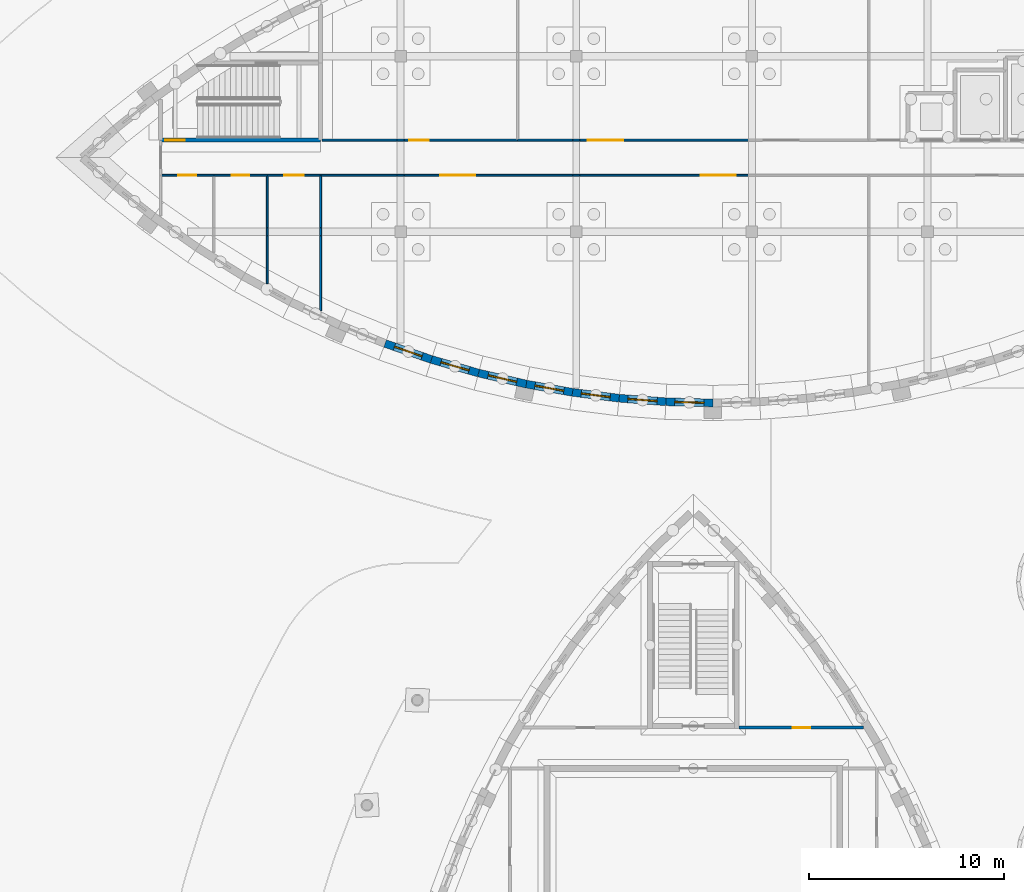
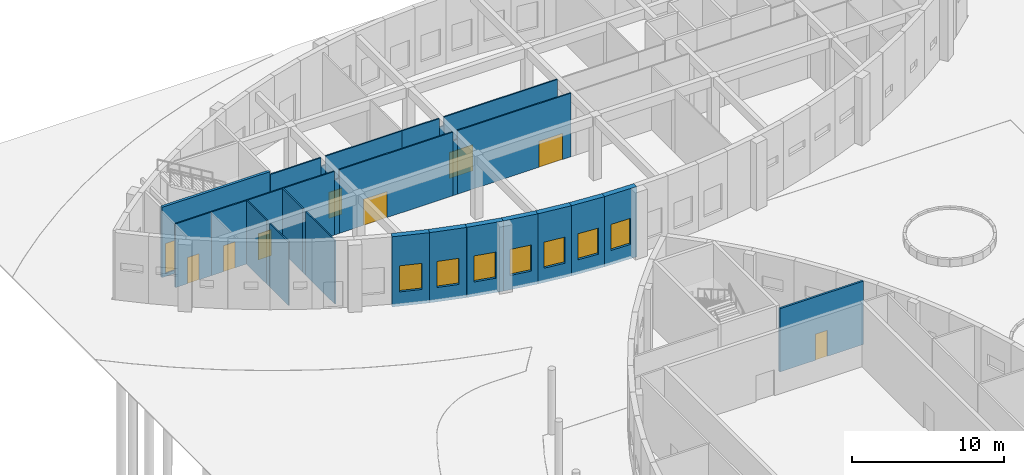
# One storey, part 56 of 82: 29 walls, 9 doors, 7 windows, 16 openings.
"""IFC4 building model written with IfcOpenShell, lengths in metres."""

from ifc_helpers import new_model, si_unit, direction, frame, frame_2d, origin, place, context, subcontext, project, spatial, rectangle, extrude, material, layer, layer_set, type_object, element, fill, save


model = new_model("IFC4")

# Units and contexts
model_context = context("Model", 3, precision=1e-05, world=origin(), true_north=direction((0.0, 1.0)))
body_context = subcontext(model_context, "Body", "Model", "MODEL_VIEW")
ifc_project = project(units=[si_unit("LENGTHUNIT", "METRE"), si_unit("AREAUNIT", "SQUARE_METRE"), si_unit("VOLUMEUNIT", "CUBIC_METRE"), si_unit("PLANEANGLEUNIT", "RADIAN"), si_unit("MASSUNIT", "GRAM", prefix="KILO")], contexts=[model_context])

# Site, building, storey
site_placement = place(None, origin())
site = spatial("IfcSite", under=ifc_project, at=site_placement, CompositionType="ELEMENT")
building_placement = place(site_placement, origin())
building = spatial("IfcBuilding", under=site, at=building_placement, Name="Tide Square Theatres", CompositionType="ELEMENT")
storey_placement = place(building_placement, origin())
storey = spatial("IfcBuildingStorey", under=building, at=storey_placement, Name="L00", CompositionType="ELEMENT", Elevation=0.0)

# Wall, opening, door
ifc_material_1 = material(Name="Gypsum board on steel studs", Category="steel")
ifc_layer_1 = layer(ifc_material_1, 0.10009765625)
ifc_layer_set_1 = layer_set([ifc_layer_1], Name="Gypsum board on steel studs")
wall_type_1 = type_object("IfcWallType", Name="Partition 100 thick", PredefinedType="PARTITIONING", material=ifc_layer_set_1)
wall_1_placement = place(storey_placement, frame((11.433349609375, 96.89990234375, 0.0), z_axis=(0.0, 0.0, 1.0), x_axis=(-1.0, 0.0, 0.0)))
wall_1 = element("IfcWall", 1, at=wall_1_placement, inside=storey, type_object=wall_type_1, Name="Scenery Workshops partition", PredefinedType="PARTITIONING", context=body_context, shape_type="SweptSolid", body=[
    extrude(rectangle(XDim=2.7333984375, YDim=0.10009765625, at=frame_2d((1.36669921875, 0.0))), origin(), (0.0, 0.0, 1.0), 5.1201171875),
])
opening_1_placement = place(wall_1_placement, frame((0.916748046875, 0.0, 0.0)))
opening_1 = element("IfcOpeningElement", 2, at=opening_1_placement, cuts=wall_1, Name="Opening W0-05", PredefinedType="OPENING", context=body_context, shape_type="SweptSolid", body=[
    extrude(rectangle(XDim=0.89990234375, YDim=2.10009765625, at=frame_2d((0.449951171875, 1.050048828125))), frame((0.0, 0.06005859375, 0.0), z_axis=(0.0, -1.0, 0.0), x_axis=(1.0, 0.0, 0.0)), (0.0, 0.0, 1.0), 0.1201171875),
])
ifc_material_2 = material(Name="Hardwood timber", Category="wood")
door_type_1 = type_object("IfcDoorType", Name="Door 900 x 2100 single leaf", OperationType="NOTDEFINED", PredefinedType="DOOR", material=ifc_material_2)
door_1_placement = place(opening_1_placement, origin())
door_1 = element("IfcDoor", 3, at=door_1_placement, inside=storey, type_object=door_type_1, Name="Scenery Workshops door W0-05 to Gents WC W", OperationType="SINGLE_SWING_RIGHT", OverallHeight=2.10009765625, OverallWidth=0.89990234375, PredefinedType="DOOR", context=body_context, shape_type="SweptSolid", body=[
    extrude(rectangle(XDim=0.89990234375, YDim=2.10009765625, at=frame_2d((0.449951171875, 1.050048828125))), frame((0.0, 0.02490234375, 0.0), z_axis=(0.0, -1.0, 0.0), x_axis=(1.0, 0.0, 0.0)), (0.0, 0.0, 1.0), 0.050048828125),
])
fill(opening_1, door_1)

wall_2_placement = place(storey_placement, frame((14.166748046875, 96.89990234375, 0.0), z_axis=(0.0, 0.0, 1.0), x_axis=(-1.0, 0.0, 0.0)))
wall_2 = element("IfcWall", 4, at=wall_2_placement, inside=storey, type_object=wall_type_1, Name="Scenery Workshops partition", PredefinedType="PARTITIONING", context=body_context, shape_type="SweptSolid", body=[
    extrude(rectangle(XDim=2.7333984375, YDim=0.10009765625, at=frame_2d((1.36669921875, 0.0))), origin(), (0.0, 0.0, 1.0), 5.1201171875),
])
opening_2_placement = place(wall_2_placement, frame((0.916748046875, 0.0, 0.0)))
opening_2 = element("IfcOpeningElement", 5, at=opening_2_placement, cuts=wall_2, Name="Opening W0-06", PredefinedType="OPENING", context=body_context, shape_type="SweptSolid", body=[
    extrude(rectangle(XDim=0.89990234375, YDim=2.10009765625, at=frame_2d((0.449951171875, 1.050048828125))), frame((0.0, 0.06005859375, 0.0), z_axis=(0.0, -1.0, 0.0), x_axis=(1.0, 0.0, 0.0)), (0.0, 0.0, 1.0), 0.1201171875),
])
door_2_placement = place(opening_2_placement, origin())
door_2 = element("IfcDoor", 6, at=door_2_placement, inside=storey, type_object=door_type_1, Name="Scenery Workshops door W0-06 to Ladies WC W", OperationType="SINGLE_SWING_RIGHT", OverallHeight=2.10009765625, OverallWidth=0.89990234375, PredefinedType="DOOR", context=body_context, shape_type="SweptSolid", body=[
    extrude(rectangle(XDim=0.89990234375, YDim=2.10009765625, at=frame_2d((0.449951171875, 1.050048828125))), frame((0.0, 0.02490234375, 0.0), z_axis=(0.0, -1.0, 0.0), x_axis=(1.0, 0.0, 0.0)), (0.0, 0.0, 1.0), 0.050048828125),
])
fill(opening_2, door_2)

# Walls
wall_3_placement = place(storey_placement, frame((14.166748046875, 96.860107421875, 0.0), z_axis=(0.0, 0.0, 1.0), x_axis=(0.0, -1.0, 0.0)))
element("IfcWall", 7, at=wall_3_placement, inside=storey, type_object=wall_type_1, Name="Scenery Workshops partition", PredefinedType="PARTITIONING", context=body_context, shape_type="SweptSolid", body=[
    extrude(rectangle(XDim=2.66015625, YDim=0.10009765625, at=frame_2d((1.330078125, 0.0))), origin(), (0.0, 0.0, 1.0), 5.1201171875),
])
wall_4_placement = place(storey_placement, frame((14.166748046875, 94.199951171875, 0.0), z_axis=(0.0, 0.0, 1.0), x_axis=(0.0, -1.0, 0.0)))
element("IfcWall", 8, at=wall_4_placement, inside=storey, type_object=wall_type_1, Name="Scenery Workshops partition", PredefinedType="PARTITIONING", context=body_context, shape_type="SweptSolid", body=[
    extrude(rectangle(XDim=0.39990234375, YDim=0.10009765625, at=frame_2d((0.199951171875, 0.0))), origin(), (0.0, 0.0, 1.0), 4.320068359375),
])
wall_5_placement = place(storey_placement, frame((14.166748046875, 93.800048828125, 0.0), z_axis=(0.0, 0.0, 1.0), x_axis=(0.0, -1.0, 0.0)))
element("IfcWall", 9, at=wall_5_placement, inside=storey, type_object=wall_type_1, Name="Scenery Workshops partition", PredefinedType="PARTITIONING", context=body_context, shape_type="SweptSolid", body=[
    extrude(rectangle(XDim=2.455078125, YDim=0.10009765625, at=frame_2d((1.2275390625, 0.0))), origin(), (0.0, 0.0, 1.0), 5.1201171875),
])

# Wall, opening, door
wall_6_placement = place(storey_placement, frame((16.89990234375, 96.89990234375, 0.0), z_axis=(0.0, 0.0, 1.0), x_axis=(-1.0, 0.0, 0.0)))
wall_6 = element("IfcWall", 10, at=wall_6_placement, inside=storey, type_object=wall_type_1, Name="Scenery Workshops partition", PredefinedType="PARTITIONING", context=body_context, shape_type="SweptSolid", body=[
    extrude(rectangle(XDim=2.733154296875, YDim=0.10009765625, at=frame_2d((1.36669921875, 0.0))), origin(), (0.0, 0.0, 1.0), 5.1201171875),
])
opening_3_placement = place(wall_6_placement, frame((0.86669921875, 0.0, 0.0)))
opening_3 = element("IfcOpeningElement", 11, at=opening_3_placement, cuts=wall_6, Name="Opening W0-07", PredefinedType="OPENING", context=body_context, shape_type="SweptSolid", body=[
    extrude(rectangle(XDim=1.0, YDim=2.10009765625, at=frame_2d((0.5, 1.050048828125))), frame((0.0, 0.06005859375, 0.0), z_axis=(0.0, -1.0, 0.0), x_axis=(1.0, 0.0, 0.0)), (0.0, 0.0, 1.0), 0.1201171875),
])
ifc_material_3 = material(Name="Hardwood timber", Category="wood")
door_type_2 = type_object("IfcDoorType", Name="Door 1000 x 2100 single leaf", OperationType="NOTDEFINED", PredefinedType="DOOR", material=ifc_material_3)
door_3_placement = place(opening_3_placement, origin())
door_3 = element("IfcDoor", 12, at=door_3_placement, inside=storey, type_object=door_type_2, Name="Scenery Workshops door W0-07 to Accessible WC W", OperationType="SINGLE_SWING_RIGHT", OverallHeight=2.10009765625, OverallWidth=1.0, PredefinedType="DOOR", context=body_context, shape_type="SweptSolid", body=[
    extrude(rectangle(XDim=1.0, YDim=2.10009765625, at=frame_2d((0.5, 1.050048828125))), frame((0.0, 0.02490234375, 0.0), z_axis=(0.0, -1.0, 0.0), x_axis=(1.0, 0.0, 0.0)), (0.0, 0.0, 1.0), 0.050048828125),
])
fill(opening_3, door_3)

# Walls
wall_7_placement = place(storey_placement, frame((16.89990234375, 96.8701171875, 0.0), z_axis=(0.0, 0.0, 1.0), x_axis=(0.0, -1.0, 0.0)))
element("IfcWall", 13, at=wall_7_placement, inside=storey, type_object=wall_type_1, Name="Scenery Workshops partition", PredefinedType="PARTITIONING", context=body_context, shape_type="SweptSolid", body=[
    extrude(rectangle(XDim=2.670166015625, YDim=0.10009765625, at=frame_2d((1.3349609375, 0.0))), origin(), (0.0, 0.0, 1.0), 5.1201171875),
])
wall_8_placement = place(storey_placement, frame((16.89990234375, 94.199951171875, 0.0), z_axis=(0.0, 0.0, 1.0), x_axis=(0.0, -1.0, 0.0)))
element("IfcWall", 14, at=wall_8_placement, inside=storey, type_object=wall_type_1, Name="Scenery Workshops partition", PredefinedType="PARTITIONING", context=body_context, shape_type="SweptSolid", body=[
    extrude(rectangle(XDim=0.39990234375, YDim=0.10009765625, at=frame_2d((0.199951171875, 0.0))), origin(), (0.0, 0.0, 1.0), 4.320068359375),
])
wall_9_placement = place(storey_placement, frame((16.89990234375, 93.800048828125, 0.0), z_axis=(0.0, 0.0, 1.0), x_axis=(0.0, -1.0, 0.0)))
element("IfcWall", 15, at=wall_9_placement, inside=storey, type_object=wall_type_1, Name="Scenery Workshops partition", PredefinedType="PARTITIONING", context=body_context, shape_type="SweptSolid", body=[
    extrude(rectangle(XDim=3.83984375, YDim=0.10009765625, at=frame_2d((1.919921875, 0.0))), origin(), (0.0, 0.0, 1.0), 5.1201171875),
])

# Wall, opening, door
wall_10_placement = place(storey_placement, frame((38.824951171875, 96.89990234375, 0.0), z_axis=(0.0, 0.0, 1.0), x_axis=(-1.0, 0.0, 0.0)))
wall_10 = element("IfcWall", 16, at=wall_10_placement, inside=storey, type_object=wall_type_1, Name="Scenery Workshops partition", PredefinedType="PARTITIONING", context=body_context, shape_type="SweptSolid", body=[
    extrude(rectangle(XDim=8.64990234375, YDim=0.10009765625, at=frame_2d((4.324951171875, 0.0))), origin(), (0.0, 0.0, 1.0), 5.1201171875),
])
opening_4_placement = place(wall_10_placement, frame((0.64990234375, 0.0, 0.0)))
opening_4 = element("IfcOpeningElement", 17, at=opening_4_placement, cuts=wall_10, Name="Opening W0-14", PredefinedType="OPENING", context=body_context, shape_type="SweptSolid", body=[
    extrude(rectangle(XDim=1.800048828125, YDim=2.10009765625, at=frame_2d((0.89990234375, 1.050048828125))), frame((0.0, 0.06005859375, 0.0), z_axis=(0.0, -1.0, 0.0), x_axis=(1.0, 0.0, 0.0)), (0.0, 0.0, 1.0), 0.1201171875),
])
ifc_material_4 = material(Name="Hardwood timber", Category="wood")
door_type_3 = type_object("IfcDoorType", Name="Door 1800 x 2100 double leaf", OperationType="DOUBLE_DOOR_SINGLE_SWING", PredefinedType="DOOR", material=ifc_material_4)
door_4_placement = place(opening_4_placement, origin())
door_4 = element("IfcDoor", 18, at=door_4_placement, inside=storey, type_object=door_type_3, Name="Scenery Workshops door W0-14 to Carpentry Workshop", OperationType="DOUBLE_DOOR_SINGLE_SWING", OverallHeight=2.10009765625, OverallWidth=1.800048828125, PredefinedType="DOOR", context=body_context, shape_type="SweptSolid", body=[
    extrude(rectangle(XDim=1.800048828125, YDim=2.10009765625, at=frame_2d((0.89990234375, 1.050048828125))), frame((0.0, 0.02490234375, 0.0), z_axis=(0.0, -1.0, 0.0), x_axis=(1.0, 0.0, 0.0)), (0.0, 0.0, 1.0), 0.050048828125),
])
fill(opening_4, door_4)

# Wall
wall_11_placement = place(storey_placement, frame((30.175048828125, 96.89990234375, 0.0), z_axis=(0.0, 0.0, 1.0), x_axis=(-1.0, 0.0, 0.0)))
element("IfcWall", 19, at=wall_11_placement, inside=storey, type_object=wall_type_1, Name="Scenery Workshops partition", PredefinedType="PARTITIONING", context=body_context, shape_type="SweptSolid", body=[
    extrude(rectangle(XDim=0.35009765625, YDim=0.10009765625, at=frame_2d((0.175048828125, 0.0))), origin(), (0.0, 0.0, 1.0), 4.419921875),
])

# Wall, opening, door
wall_12_placement = place(storey_placement, frame((29.824951171875, 96.89990234375, 0.0), z_axis=(0.0, 0.0, 1.0), x_axis=(-1.0, 0.0, 0.0)))
wall_12 = element("IfcWall", 20, at=wall_12_placement, inside=storey, type_object=wall_type_1, Name="Scenery Workshops partition", PredefinedType="PARTITIONING", context=body_context, shape_type="SweptSolid", body=[
    extrude(rectangle(XDim=8.64990234375, YDim=0.10009765625, at=frame_2d((4.324951171875, 0.0))), origin(), (0.0, 0.0, 1.0), 5.1201171875),
])
opening_5_placement = place(wall_12_placement, frame((5.0, 0.0, 0.0)))
opening_5 = element("IfcOpeningElement", 21, at=opening_5_placement, cuts=wall_12, Name="Opening W0-13", PredefinedType="OPENING", context=body_context, shape_type="SweptSolid", body=[
    extrude(rectangle(XDim=1.800048828125, YDim=2.10009765625, at=frame_2d((0.89990234375, 1.050048828125))), frame((0.0, 0.06005859375, 0.0), z_axis=(0.0, -1.0, 0.0), x_axis=(1.0, 0.0, 0.0)), (0.0, 0.0, 1.0), 0.1201171875),
])
door_5_placement = place(opening_5_placement, origin())
door_5 = element("IfcDoor", 22, at=door_5_placement, inside=storey, type_object=door_type_3, Name="Scenery Workshops door W0-13 to Carpentry Workshop", OperationType="DOUBLE_DOOR_SINGLE_SWING", OverallHeight=2.10009765625, OverallWidth=1.800048828125, PredefinedType="DOOR", context=body_context, shape_type="SweptSolid", body=[
    extrude(rectangle(XDim=1.800048828125, YDim=2.10009765625, at=frame_2d((0.89990234375, 1.050048828125))), frame((0.0, 0.02490234375, 0.0), z_axis=(0.0, -1.0, 0.0), x_axis=(1.0, 0.0, 0.0)), (0.0, 0.0, 1.0), 0.050048828125),
])
fill(opening_5, door_5)

# Walls
wall_13_placement = place(storey_placement, frame((21.175048828125, 96.89990234375, 0.0), z_axis=(0.0, 0.0, 1.0), x_axis=(-1.0, 0.0, 0.0)))
element("IfcWall", 23, at=wall_13_placement, inside=storey, type_object=wall_type_1, Name="Scenery Workshops partition", PredefinedType="PARTITIONING", context=body_context, shape_type="SweptSolid", body=[
    extrude(rectangle(XDim=0.35009765625, YDim=0.10009765625, at=frame_2d((0.175048828125, 0.0))), origin(), (0.0, 0.0, 1.0), 4.419921875),
])
wall_14_placement = place(storey_placement, frame((20.824951171875, 96.89990234375, 0.0), z_axis=(0.0, 0.0, 1.0), x_axis=(-1.0, 0.0, 0.0)))
element("IfcWall", 24, at=wall_14_placement, inside=storey, type_object=wall_type_1, Name="Scenery Workshops partition", PredefinedType="PARTITIONING", context=body_context, shape_type="SweptSolid", body=[
    extrude(rectangle(XDim=3.925048828125, YDim=0.10009765625, at=frame_2d((1.96240234375, 0.0))), origin(), (0.0, 0.0, 1.0), 5.1201171875),
])
wall_15_placement = place(storey_placement, frame((16.97998046875, 98.699951171875, 0.0), z_axis=(0.0, 0.0, 1.0), x_axis=(1.0, 0.0, 0.0)))
element("IfcWall", 25, at=wall_15_placement, inside=storey, type_object=wall_type_1, Name="Scenery Workshops partition", PredefinedType="PARTITIONING", context=body_context, shape_type="SweptSolid", body=[
    extrude(rectangle(XDim=3.844970703125, YDim=0.10009765625, at=frame_2d((1.92236328125, 0.0))), origin(), (0.0, 0.0, 1.0), 5.1201171875),
])
wall_16_placement = place(storey_placement, frame((20.824951171875, 98.699951171875, 0.0), z_axis=(0.0, 0.0, 1.0), x_axis=(1.0, 0.0, 0.0)))
element("IfcWall", 26, at=wall_16_placement, inside=storey, type_object=wall_type_1, Name="Scenery Workshops partition", PredefinedType="PARTITIONING", context=body_context, shape_type="SweptSolid", body=[
    extrude(rectangle(XDim=0.35009765625, YDim=0.10009765625, at=frame_2d((0.175048828125, 0.0))), origin(), (0.0, 0.0, 1.0), 4.419921875),
])

# Wall, opening, door
wall_17_placement = place(storey_placement, frame((21.175048828125, 98.699951171875, 0.0), z_axis=(0.0, 0.0, 1.0), x_axis=(1.0, 0.0, 0.0)))
wall_17 = element("IfcWall", 27, at=wall_17_placement, inside=storey, type_object=wall_type_1, Name="Scenery Workshops partition", PredefinedType="PARTITIONING", context=body_context, shape_type="SweptSolid", body=[
    extrude(rectangle(XDim=5.824951171875, YDim=0.10009765625, at=frame_2d((2.91259765625, 0.0))), origin(), (0.0, 0.0, 1.0), 5.1201171875),
])
opening_6_placement = place(wall_17_placement, frame((0.27490234375, 0.0, 0.0)))
opening_6 = element("IfcOpeningElement", 28, at=opening_6_placement, cuts=wall_17, Name="Opening W0-16", PredefinedType="OPENING", context=body_context, shape_type="SweptSolid", body=[
    extrude(rectangle(XDim=1.0, YDim=2.10009765625, at=frame_2d((0.5, 1.050048828125))), frame((0.0, 0.06005859375, 0.0), z_axis=(0.0, -1.0, 0.0), x_axis=(1.0, 0.0, 0.0)), (0.0, 0.0, 1.0), 0.1201171875),
])
door_6_placement = place(opening_6_placement, origin())
door_6 = element("IfcDoor", 29, at=door_6_placement, inside=storey, type_object=door_type_2, Name="Scenery Workshops door W0-16 to Metal Workshop", OperationType="SINGLE_SWING_RIGHT", OverallHeight=2.10009765625, OverallWidth=1.0, PredefinedType="DOOR", context=body_context, shape_type="SweptSolid", body=[
    extrude(rectangle(XDim=1.0, YDim=2.10009765625, at=frame_2d((0.5, 1.050048828125))), frame((0.0, 0.02490234375, 0.0), z_axis=(0.0, -1.0, 0.0), x_axis=(1.0, 0.0, 0.0)), (0.0, 0.0, 1.0), 0.050048828125),
])
fill(opening_6, door_6)

# Walls
wall_18_placement = place(storey_placement, frame((27.0, 98.699951171875, 0.0), z_axis=(0.0, 0.0, 1.0), x_axis=(1.0, 0.0, 0.0)))
element("IfcWall", 30, at=wall_18_placement, inside=storey, type_object=wall_type_1, Name="Scenery Workshops partition", PredefinedType="PARTITIONING", context=body_context, shape_type="SweptSolid", body=[
    extrude(rectangle(XDim=2.824951171875, YDim=0.10009765625, at=frame_2d((1.41259765625, 0.0))), origin(), (0.0, 0.0, 1.0), 5.1201171875),
])
wall_19_placement = place(storey_placement, frame((29.824951171875, 98.699951171875, 0.0), z_axis=(0.0, 0.0, 1.0), x_axis=(1.0, 0.0, 0.0)))
element("IfcWall", 31, at=wall_19_placement, inside=storey, type_object=wall_type_1, Name="Scenery Workshops partition", PredefinedType="PARTITIONING", context=body_context, shape_type="SweptSolid", body=[
    extrude(rectangle(XDim=0.35009765625, YDim=0.10009765625, at=frame_2d((0.175048828125, 0.0))), origin(), (0.0, 0.0, 1.0), 4.419921875),
])

# Wall, opening, door
wall_20_placement = place(storey_placement, frame((30.175048828125, 98.699951171875, 0.0), z_axis=(0.0, 0.0, 1.0), x_axis=(1.0, 0.0, 0.0)))
wall_20 = element("IfcWall", 32, at=wall_20_placement, inside=storey, type_object=wall_type_1, Name="Scenery Workshops partition", PredefinedType="PARTITIONING", context=body_context, shape_type="SweptSolid", body=[
    extrude(rectangle(XDim=8.64990234375, YDim=0.10009765625, at=frame_2d((4.324951171875, 0.0))), origin(), (0.0, 0.0, 1.0), 5.1201171875),
])
opening_7_placement = place(wall_20_placement, frame((0.425048828125, 0.0, 0.0)))
opening_7 = element("IfcOpeningElement", 33, at=opening_7_placement, cuts=wall_20, Name="Opening W0-18", PredefinedType="OPENING", context=body_context, shape_type="SweptSolid", body=[
    extrude(rectangle(XDim=1.800048828125, YDim=2.10009765625, at=frame_2d((0.89990234375, 1.050048828125))), frame((0.0, 0.06005859375, 0.0), z_axis=(0.0, -1.0, 0.0), x_axis=(1.0, 0.0, 0.0)), (0.0, 0.0, 1.0), 0.1201171875),
])
door_7_placement = place(opening_7_placement, origin())
door_7 = element("IfcDoor", 34, at=door_7_placement, inside=storey, type_object=door_type_3, Name="Scenery Workshops door W0-18 to Scenery Loading Dock", OperationType="DOUBLE_DOOR_SINGLE_SWING", OverallHeight=2.10009765625, OverallWidth=1.800048828125, PredefinedType="DOOR", context=body_context, shape_type="SweptSolid", body=[
    extrude(rectangle(XDim=1.800048828125, YDim=2.10009765625, at=frame_2d((0.89990234375, 1.050048828125))), frame((0.0, 0.02490234375, 0.0), z_axis=(0.0, -1.0, 0.0), x_axis=(1.0, 0.0, 0.0)), (0.0, 0.0, 1.0), 0.050048828125),
])
fill(opening_7, door_7)

ifc_material_5 = material(Name="Gypsum board on steel studs", Category="steel")
ifc_layer_2 = layer(ifc_material_5, 0.14990234375)
ifc_layer_set_2 = layer_set([ifc_layer_2], Name="Gypsum board on steel studs")
wall_type_2 = type_object("IfcWallType", Name="Partition 150 thick", PredefinedType="PARTITIONING", material=ifc_layer_set_2)
wall_21_placement = place(storey_placement, frame((38.349609375, 68.60009765625, 0.0), z_axis=(0.0, 0.0, 1.0), x_axis=(1.0, 0.0, 0.0)))
wall_21 = element("IfcWall", 35, at=wall_21_placement, inside=storey, type_object=wall_type_2, Name="Studio Theatre partition", PredefinedType="PARTITIONING", context=body_context, shape_type="SweptSolid", body=[
    extrude(rectangle(XDim=6.3662109375, YDim=0.14990234375, at=frame_2d((3.18310546875, 0.0))), origin(), (0.0, 0.0, 1.0), 5.10009765625),
])
opening_8_placement = place(wall_21_placement, frame((2.733154296875, 0.0, 0.0)))
opening_8 = element("IfcOpeningElement", 36, at=opening_8_placement, cuts=wall_21, Name="Opening S00-12", PredefinedType="OPENING", context=body_context, shape_type="SweptSolid", body=[
    extrude(rectangle(XDim=0.89990234375, YDim=2.10009765625, at=frame_2d((0.449951171875, 1.050048828125))), frame((0.0, 0.0849609375, 0.0), z_axis=(0.0, -1.0, 0.0), x_axis=(1.0, 0.0, 0.0)), (0.0, 0.0, 1.0), 0.169921875),
])
door_8_placement = place(opening_8_placement, origin())
door_8 = element("IfcDoor", 37, at=door_8_placement, inside=storey, type_object=door_type_1, Name="Scenery Store door", OperationType="SINGLE_SWING_RIGHT", OverallHeight=2.10009765625, OverallWidth=0.89990234375, PredefinedType="DOOR", context=body_context, shape_type="SweptSolid", body=[
    extrude(rectangle(XDim=0.89990234375, YDim=2.10009765625, at=frame_2d((0.449951171875, 1.050048828125))), frame((0.0, 0.02490234375, 0.0), z_axis=(0.0, -1.0, 0.0), x_axis=(1.0, 0.0, 0.0)), (0.0, 0.0, 1.0), 0.050048828125),
])
fill(opening_8, door_8)

# Wall, opening, window
ifc_material_6 = material(Name="Concrete C40", Category="concrete")
ifc_layer_3 = layer(ifc_material_6, 0.39990234375)
ifc_layer_set_3 = layer_set([ifc_layer_3], Name="Concrete C40")
wall_type_3 = type_object("IfcWallType", Name="RC curved wall 400 thick", PredefinedType="SOLIDWALL", material=ifc_layer_set_3)
wall_22_placement = place(storey_placement, frame((20.20703125, 88.2783203125, -0.25), z_axis=(0.0, 0.0, 1.0), x_axis=(0.94514546406, -0.326649738659, 0.0)))
wall_22 = element("IfcWall", 38, at=wall_22_placement, inside=storey, type_object=wall_type_3, Name="Scenery Workshops perimeter wall 007", PredefinedType="SOLIDWALL", context=body_context, shape_type="SweptSolid", body=[
    extrude(rectangle(XDim=2.51123046875, YDim=0.39990234375, at=frame_2d((1.255615234375, 0.0))), origin(), (0.0, 0.0, 1.0), 5.64990234375),
])
opening_9_placement = place(wall_22_placement, frame((0.505615234375, 0.0, 1.14990234375)))
opening_9 = element("IfcOpeningElement", 39, at=opening_9_placement, cuts=wall_22, Name="Opening WN-01", PredefinedType="OPENING", context=body_context, shape_type="SweptSolid", body=[
    extrude(rectangle(XDim=1.5, YDim=2.10009765625, at=frame_2d((0.75, 1.050048828125))), frame((0.0, 0.2099609375, 0.0), z_axis=(0.0, -1.0, 0.0), x_axis=(1.0, 0.0, 0.0)), (0.0, 0.0, 1.0), 0.419921875),
])
ifc_material_7 = material(Name="Aluminium with laminated glass", Category="aluminium")
window_type = type_object("IfcWindowType", Name="Window 1500 x 2100", PartitioningType="SINGLE_PANEL", PredefinedType="WINDOW", material=ifc_material_7)
window_1_placement = place(opening_9_placement, origin())
window_1 = element("IfcWindow", 40, at=window_1_placement, inside=storey, type_object=window_type, Name="Scenery Workshops window L00-7", OverallHeight=2.10009765625, OverallWidth=1.5, PartitioningType="SINGLE_PANEL", PredefinedType="WINDOW", context=body_context, shape_type="SweptSolid", body=[
    extrude(rectangle(XDim=1.5, YDim=2.10009765625, at=frame_2d((0.75, 1.050048828125))), frame((0.0, 0.030029296875, 0.0), z_axis=(0.0, -1.0, 0.0), x_axis=(1.0, 0.0, 0.0)), (0.0, 0.0, 1.0), 0.06005859375),
])
fill(opening_9, window_1)

wall_23_placement = place(storey_placement, frame((22.58056640625, 87.4580078125, -0.25), z_axis=(0.0, 0.0, 1.0), x_axis=(0.961008605775, -0.276518461637, 0.0)))
wall_23 = element("IfcWall", 41, at=wall_23_placement, inside=storey, type_object=wall_type_3, Name="Scenery Workshops perimeter wall 008", PredefinedType="SOLIDWALL", context=body_context, shape_type="SweptSolid", body=[
    extrude(rectangle(XDim=2.510986328125, YDim=0.39990234375, at=frame_2d((1.25537109375, 0.0))), origin(), (0.0, 0.0, 1.0), 5.64990234375),
])
opening_10_placement = place(wall_23_placement, frame((0.505615234375, 0.0, 1.14990234375)))
opening_10 = element("IfcOpeningElement", 42, at=opening_10_placement, cuts=wall_23, Name="Opening WN-01", PredefinedType="OPENING", context=body_context, shape_type="SweptSolid", body=[
    extrude(rectangle(XDim=1.5, YDim=2.10009765625, at=frame_2d((0.75, 1.050048828125))), frame((0.0, 0.2099609375, 0.0), z_axis=(0.0, -1.0, 0.0), x_axis=(1.0, 0.0, 0.0)), (0.0, 0.0, 1.0), 0.419921875),
])
window_2_placement = place(opening_10_placement, origin())
window_2 = element("IfcWindow", 43, at=window_2_placement, inside=storey, type_object=window_type, Name="Scenery Workshops window L00-8", OverallHeight=2.10009765625, OverallWidth=1.5, PartitioningType="SINGLE_PANEL", PredefinedType="WINDOW", context=body_context, shape_type="SweptSolid", body=[
    extrude(rectangle(XDim=1.5, YDim=2.10009765625, at=frame_2d((0.75, 1.050048828125))), frame((0.0, 0.030029296875, 0.0), z_axis=(0.0, -1.0, 0.0), x_axis=(1.0, 0.0, 0.0)), (0.0, 0.0, 1.0), 0.06005859375),
])
fill(opening_10, window_2)

wall_24_placement = place(storey_placement, frame((24.99365234375, 86.763671875, -0.25), z_axis=(0.0, 0.0, 1.0), x_axis=(0.974210649093, -0.225640446716, 0.0)))
wall_24 = element("IfcWall", 44, at=wall_24_placement, inside=storey, type_object=wall_type_3, Name="Scenery Workshops perimeter wall 009", PredefinedType="SOLIDWALL", context=body_context, shape_type="SweptSolid", body=[
    extrude(rectangle(XDim=2.51123046875, YDim=0.39990234375, at=frame_2d((1.255615234375, 0.0))), origin(), (0.0, 0.0, 1.0), 5.64990234375),
])
opening_11_placement = place(wall_24_placement, frame((0.505615234375, 0.0, 1.14990234375)))
opening_11 = element("IfcOpeningElement", 45, at=opening_11_placement, cuts=wall_24, Name="Opening WN-01", PredefinedType="OPENING", context=body_context, shape_type="SweptSolid", body=[
    extrude(rectangle(XDim=1.5, YDim=2.10009765625, at=frame_2d((0.75, 1.050048828125))), frame((0.0, 0.2099609375, 0.0), z_axis=(0.0, -1.0, 0.0), x_axis=(1.0, 0.0, 0.0)), (0.0, 0.0, 1.0), 0.419921875),
])
window_3_placement = place(opening_11_placement, origin())
window_3 = element("IfcWindow", 46, at=window_3_placement, inside=storey, type_object=window_type, Name="Scenery Workshops window L00-9", OverallHeight=2.10009765625, OverallWidth=1.5, PartitioningType="SINGLE_PANEL", PredefinedType="WINDOW", context=body_context, shape_type="SweptSolid", body=[
    extrude(rectangle(XDim=1.5, YDim=2.10009765625, at=frame_2d((0.75, 1.050048828125))), frame((0.0, 0.030029296875, 0.0), z_axis=(0.0, -1.0, 0.0), x_axis=(1.0, 0.0, 0.0)), (0.0, 0.0, 1.0), 0.06005859375),
])
fill(opening_11, window_3)

wall_25_placement = place(storey_placement, frame((27.440185546875, 86.197021484375, -0.25), z_axis=(0.0, 0.0, 1.0), x_axis=(0.984524011381, -0.175249738987, 0.0)))
wall_25 = element("IfcWall", 47, at=wall_25_placement, inside=storey, type_object=wall_type_3, Name="Scenery Workshops perimeter wall 010", PredefinedType="SOLIDWALL", context=body_context, shape_type="SweptSolid", body=[
    extrude(rectangle(XDim=2.406005859375, YDim=0.39990234375, at=frame_2d((1.203125, 0.0))), origin(), (0.0, 0.0, 1.0), 5.64990234375),
])
opening_12_placement = place(wall_25_placement, frame((0.452880859375, 0.0, 1.14990234375)))
opening_12 = element("IfcOpeningElement", 48, at=opening_12_placement, cuts=wall_25, Name="Opening WN-01", PredefinedType="OPENING", context=body_context, shape_type="SweptSolid", body=[
    extrude(rectangle(XDim=1.5, YDim=2.10009765625, at=frame_2d((0.75, 1.050048828125))), frame((0.0, 0.2099609375, 0.0), z_axis=(0.0, -1.0, 0.0), x_axis=(1.0, 0.0, 0.0)), (0.0, 0.0, 1.0), 0.419921875),
])
window_4_placement = place(opening_12_placement, origin())
window_4 = element("IfcWindow", 49, at=window_4_placement, inside=storey, type_object=window_type, Name="Scenery Workshops window L00-10", OverallHeight=2.10009765625, OverallWidth=1.5, PartitioningType="SINGLE_PANEL", PredefinedType="WINDOW", context=body_context, shape_type="SweptSolid", body=[
    extrude(rectangle(XDim=1.5, YDim=2.10009765625, at=frame_2d((0.75, 1.050048828125))), frame((0.0, 0.030029296875, 0.0), z_axis=(0.0, -1.0, 0.0), x_axis=(1.0, 0.0, 0.0)), (0.0, 0.0, 1.0), 0.06005859375),
])
fill(opening_12, window_4)

wall_26_placement = place(storey_placement, frame((29.808837890625, 85.775390625, -0.25), z_axis=(0.0, 0.0, 1.0), x_axis=(0.99208939311, -0.125533406227, 0.0)))
wall_26 = element("IfcWall", 50, at=wall_26_placement, inside=storey, type_object=wall_type_3, Name="Scenery Workshops perimeter wall 011", PredefinedType="SOLIDWALL", context=body_context, shape_type="SweptSolid", body=[
    extrude(rectangle(XDim=2.40576171875, YDim=0.39990234375, at=frame_2d((1.202880859375, 0.0))), origin(), (0.0, 0.0, 1.0), 5.64990234375),
])
opening_13_placement = place(wall_26_placement, frame((0.452880859375, 0.0, 1.14990234375)))
opening_13 = element("IfcOpeningElement", 51, at=opening_13_placement, cuts=wall_26, Name="Opening WN-01", PredefinedType="OPENING", context=body_context, shape_type="SweptSolid", body=[
    extrude(rectangle(XDim=1.5, YDim=2.10009765625, at=frame_2d((0.75, 1.050048828125))), frame((0.0, 0.2099609375, 0.0), z_axis=(0.0, -1.0, 0.0), x_axis=(1.0, 0.0, 0.0)), (0.0, 0.0, 1.0), 0.419921875),
])
window_5_placement = place(opening_13_placement, origin())
window_5 = element("IfcWindow", 52, at=window_5_placement, inside=storey, type_object=window_type, Name="Scenery Workshops window L00-11", OverallHeight=2.10009765625, OverallWidth=1.5, PartitioningType="SINGLE_PANEL", PredefinedType="WINDOW", context=body_context, shape_type="SweptSolid", body=[
    extrude(rectangle(XDim=1.5, YDim=2.10009765625, at=frame_2d((0.75, 1.050048828125))), frame((0.0, 0.030029296875, 0.0), z_axis=(0.0, -1.0, 0.0), x_axis=(1.0, 0.0, 0.0)), (0.0, 0.0, 1.0), 0.06005859375),
])
fill(opening_13, window_5)

wall_27_placement = place(storey_placement, frame((32.195556640625, 85.473388671875, -0.25), z_axis=(0.0, 0.0, 1.0), x_axis=(0.997146276918, -0.075493724435, 0.0)))
wall_27 = element("IfcWall", 53, at=wall_27_placement, inside=storey, type_object=wall_type_3, Name="Scenery Workshops perimeter wall 012", PredefinedType="SOLIDWALL", context=body_context, shape_type="SweptSolid", body=[
    extrude(rectangle(XDim=2.406005859375, YDim=0.39990234375, at=frame_2d((1.203125, 0.0))), origin(), (0.0, 0.0, 1.0), 5.64990234375),
])
opening_14_placement = place(wall_27_placement, frame((0.452880859375, 0.0, 1.14990234375)))
opening_14 = element("IfcOpeningElement", 54, at=opening_14_placement, cuts=wall_27, Name="Opening WN-01", PredefinedType="OPENING", context=body_context, shape_type="SweptSolid", body=[
    extrude(rectangle(XDim=1.5, YDim=2.10009765625, at=frame_2d((0.75, 1.050048828125))), frame((0.0, 0.2099609375, 0.0), z_axis=(0.0, -1.0, 0.0), x_axis=(1.0, 0.0, 0.0)), (0.0, 0.0, 1.0), 0.419921875),
])
window_6_placement = place(opening_14_placement, origin())
window_6 = element("IfcWindow", 55, at=window_6_placement, inside=storey, type_object=window_type, Name="Scenery Workshops window L00-12", OverallHeight=2.10009765625, OverallWidth=1.5, PartitioningType="SINGLE_PANEL", PredefinedType="WINDOW", context=body_context, shape_type="SweptSolid", body=[
    extrude(rectangle(XDim=1.5, YDim=2.10009765625, at=frame_2d((0.75, 1.050048828125))), frame((0.0, 0.030029296875, 0.0), z_axis=(0.0, -1.0, 0.0), x_axis=(1.0, 0.0, 0.0)), (0.0, 0.0, 1.0), 0.06005859375),
])
fill(opening_14, window_6)

wall_28_placement = place(storey_placement, frame((34.5947265625, 85.291748046875, -0.25), z_axis=(0.0, 0.0, 1.0), x_axis=(0.999683321759, -0.025164582196, 0.0)))
wall_28 = element("IfcWall", 56, at=wall_28_placement, inside=storey, type_object=wall_type_3, Name="Scenery Workshops perimeter wall 013", PredefinedType="SOLIDWALL", context=body_context, shape_type="SweptSolid", body=[
    extrude(rectangle(XDim=2.406005859375, YDim=0.39990234375, at=frame_2d((1.203125, 0.0))), origin(), (0.0, 0.0, 1.0), 5.64990234375),
])
opening_15_placement = place(wall_28_placement, frame((0.452880859375, 0.0, 1.14990234375)))
opening_15 = element("IfcOpeningElement", 57, at=opening_15_placement, cuts=wall_28, Name="Opening WN-01", PredefinedType="OPENING", context=body_context, shape_type="SweptSolid", body=[
    extrude(rectangle(XDim=1.5, YDim=2.10009765625, at=frame_2d((0.75, 1.050048828125))), frame((0.0, 0.2099609375, 0.0), z_axis=(0.0, -1.0, 0.0), x_axis=(1.0, 0.0, 0.0)), (0.0, 0.0, 1.0), 0.419921875),
])
window_7_placement = place(opening_15_placement, origin())
window_7 = element("IfcWindow", 58, at=window_7_placement, inside=storey, type_object=window_type, Name="Scenery Workshops window L00-13", OverallHeight=2.10009765625, OverallWidth=1.5, PartitioningType="SINGLE_PANEL", PredefinedType="WINDOW", context=body_context, shape_type="SweptSolid", body=[
    extrude(rectangle(XDim=1.5, YDim=2.10009765625, at=frame_2d((0.75, 1.050048828125))), frame((0.0, 0.030029296875, 0.0), z_axis=(0.0, -1.0, 0.0), x_axis=(1.0, 0.0, 0.0)), (0.0, 0.0, 1.0), 0.06005859375),
])
fill(opening_15, window_7)

# Wall, opening, door
ifc_material_8 = material(Name="Concrete C40", Category="concrete")
ifc_layer_4 = layer(ifc_material_8, 0.199951171875)
ifc_layer_set_4 = layer_set([ifc_layer_4], Name="Concrete C40")
wall_type_4 = type_object("IfcWallType", Name="RC shear wall 200 thick", PredefinedType="SHEAR", material=ifc_layer_set_4)
wall_29_placement = place(storey_placement, frame((16.89990234375, 98.699951171875, -0.25), z_axis=(0.0, 0.0, 1.0), x_axis=(-1.0, 0.0, 0.0)))
wall_29 = element("IfcWall", 59, at=wall_29_placement, inside=storey, type_object=wall_type_4, Name="Scenery Workshops stair enclosure wall", PredefinedType="SHEAR", context=body_context, shape_type="SweptSolid", body=[
    extrude(rectangle(XDim=8.199951171875, YDim=0.199951171875, at=frame_2d((4.10009765625, 0.0))), origin(), (0.0, 0.0, 1.0), 5.64990234375),
])
opening_16_placement = place(wall_29_placement, frame((6.949951171875, 0.0, 0.25)))
opening_16 = element("IfcOpeningElement", 60, at=opening_16_placement, cuts=wall_29, Name="Opening W0-20", PredefinedType="OPENING", context=body_context, shape_type="SweptSolid", body=[
    extrude(rectangle(XDim=1.0, YDim=2.39990234375, at=frame_2d((0.5, 1.199951171875))), frame((0.0, 0.10986328125, 0.0), z_axis=(0.0, -1.0, 0.0), x_axis=(1.0, 0.0, 0.0)), (0.0, 0.0, 1.0), 0.219970703125),
])
ifc_material_9 = material(Name="Hardwood timber", Category="wood")
door_type_4 = type_object("IfcDoorType", Name="Door 1000 x 2400 single leaf", OperationType="NOTDEFINED", PredefinedType="DOOR", material=ifc_material_9)
door_9_placement = place(opening_16_placement, origin())
door_9 = element("IfcDoor", 61, at=door_9_placement, inside=storey, type_object=door_type_4, Name="Scenery Workshops door W0-20 stair door to Stair 1", OperationType="SINGLE_SWING_RIGHT", OverallHeight=2.39990234375, OverallWidth=1.0, PredefinedType="DOOR", context=body_context, shape_type="SweptSolid", body=[
    extrude(rectangle(XDim=1.0, YDim=2.39990234375, at=frame_2d((0.5, 1.199951171875))), frame((0.0, 0.02490234375, 0.0), z_axis=(0.0, -1.0, 0.0), x_axis=(1.0, 0.0, 0.0)), (0.0, 0.0, 1.0), 0.050048828125),
])
fill(opening_16, door_9)

save(model, "model.ifc")
